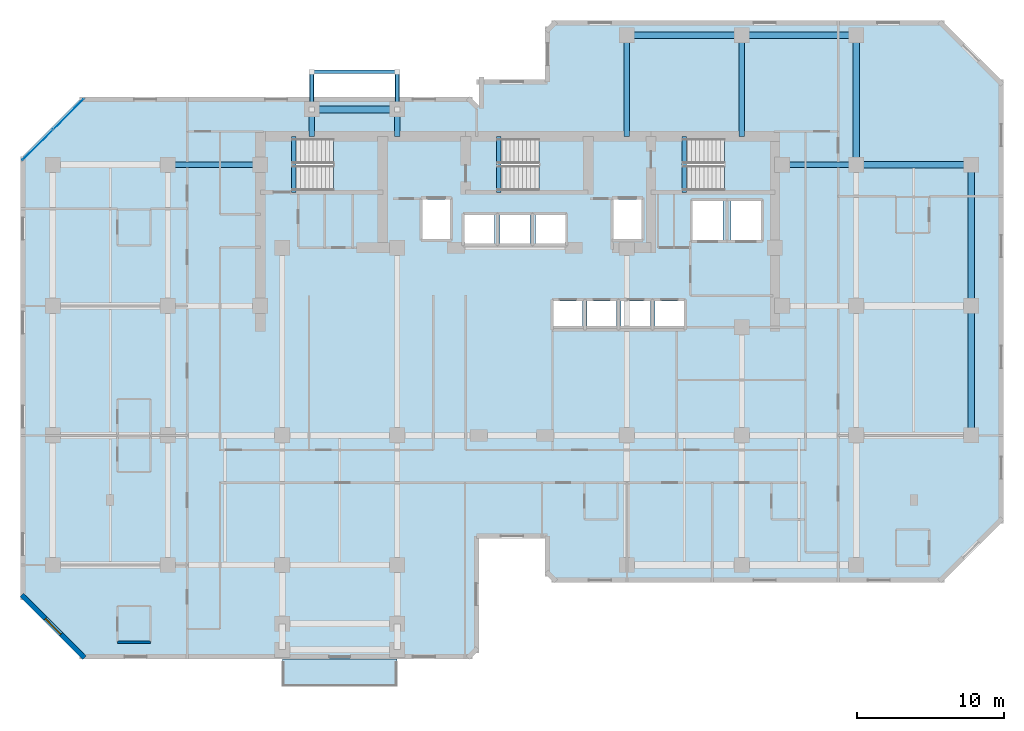
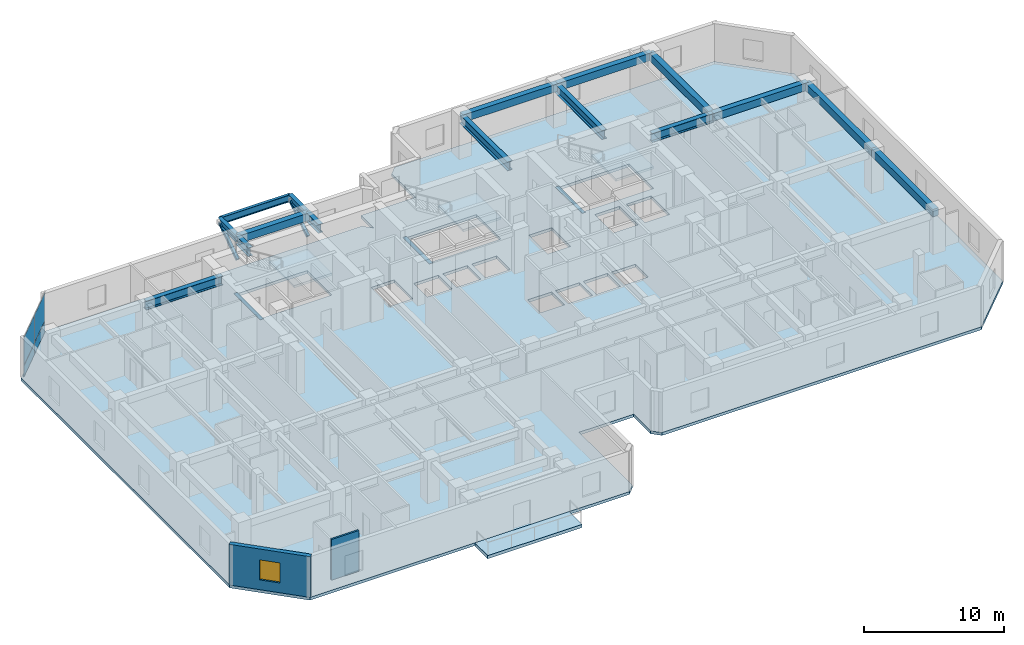
# One storey, part 3 of 10: 19 beams, 5 slabs, 4 plates, 2 members, 2 walls, 1 window, 1 opening, 4 elements without a shape of their own.
"""IFC4 building model written with IfcOpenShell, lengths in metres."""

from ifc_helpers import new_model, si_unit, direction, frame, frame_2d, origin, origin_2d, place, context, subcontext, project, spatial, polyline, rectangle, hollow_rectangle, i_section, outline, extrude, material, layer, layer_set, material_profile, profile_set, type_object, element, fill, aggregate, save


model = new_model("IFC4")

# Units and contexts
model_context = context("Model", 3, precision=1e-05, world=origin(), true_north=direction((0.0, 1.0)))
body_context = subcontext(model_context, "Body", "Model", "MODEL_VIEW")
ifc_project = project(units=[si_unit("LENGTHUNIT", "METRE"), si_unit("AREAUNIT", "SQUARE_METRE"), si_unit("VOLUMEUNIT", "CUBIC_METRE"), si_unit("PLANEANGLEUNIT", "RADIAN"), si_unit("MASSUNIT", "GRAM", prefix="KILO")], contexts=[model_context])

# Site, building, storey
site_placement = place(None, origin())
site = spatial("IfcSite", under=ifc_project, at=site_placement, CompositionType="ELEMENT")
building_placement = place(site_placement, origin())
building = spatial("IfcBuilding", under=site, at=building_placement, Name="Kestravale Grand Hotel", CompositionType="ELEMENT")
storey_placement = place(building_placement, frame((0.0, 0.0, 138.39990234375)))
storey = spatial("IfcBuildingStorey", under=building, at=storey_placement, Name="L34", CompositionType="ELEMENT", Elevation=138.39990234375)

# Beams
ifc_material_1 = material(Name="Concrete f'c 45 MPa", Category="concrete")
ifc_material_profile_1 = material_profile(ifc_material_1, rectangle(XDim=0.300048828125, YDim=0.39990234375, at=origin_2d()))
ifc_profile_set_1 = profile_set([ifc_material_profile_1], Name="Concrete f'c 45 MPa")
beam_type_1 = type_object("IfcBeamType", Name="B-FLR-LNT400", PredefinedType="LINTEL", material=ifc_profile_set_1)
for number, where, z_axis, x_axis, name in (
    (1, (24.159912109375, 36.52001953125, -0.199951171875), (0.0, 1.0, 0.0), (-1.0, 0.0, 0.0), "L34 ST1 flight bottom header beam"),
    (2, (38.110107421875, 36.52001953125, -0.199951171875), (0.0, 1.0, 0.0), (-1.0, 0.0, 0.0), "L34 ST2 flight bottom header beam"),
    (3, (50.7099609375, 36.52001953125, -0.199951171875), (0.0, 1.0, 0.0), (-1.0, 0.0, 0.0), "L34 ST3 flight bottom header beam"),
):
    element("IfcBeam", number, at=place(storey_placement, frame(where, z_axis=z_axis, x_axis=x_axis)), inside=storey, type_object=beam_type_1, Name=name, PredefinedType="LINTEL", context=body_context, shape_type="SweptSolid", body=[
        extrude(rectangle(XDim=0.300048828125, YDim=0.39990234375, at=origin_2d()), origin(), (0.0, 0.0, 1.0), 3.800048828125),
    ])
ifc_material_2 = material(Name="Concrete f'c 45 MPa", Category="concrete")
ifc_material_profile_2 = material_profile(ifc_material_2, rectangle(XDim=0.449951171875, YDim=0.64990234375, at=origin_2d()))
ifc_profile_set_2 = profile_set([ifc_material_profile_2], Name="Concrete f'c 45 MPa")
beam_type_2 = type_object("IfcBeamType", Name="B-FLR-RC650", PredefinedType="SPANDREL", material=ifc_profile_set_2)
for number, where, z_axis, x_axis, name in (
    (4, (62.39990234375, 38.39990234375, 3.22509765625), (1.0, 0.0, 0.0), (0.0, 1.0, 0.0), "L34 spandrel F:10-11"),
    (5, (46.800048828125, 47.199951171875, 3.22509765625), (1.0, 0.0, 0.0), (0.0, 1.0, 0.0), "L34 spandrel G:8-9"),
):
    element("IfcBeam", number, at=place(storey_placement, frame(where, z_axis=z_axis, x_axis=x_axis)), inside=storey, type_object=beam_type_2, Name=name, PredefinedType="SPANDREL", context=body_context, shape_type="SweptSolid", body=[
        extrude(rectangle(XDim=0.449951171875, YDim=0.64990234375, at=origin_2d()), origin(), (0.0, 0.0, 1.0), 7.800048828125),
    ])
beam_1_placement = place(storey_placement, frame((54.60009765625, 47.199951171875, 3.22509765625), z_axis=(1.0, 0.0, 0.0), x_axis=(0.0, 1.0, 0.0)))
element("IfcBeam", 6, at=beam_1_placement, inside=storey, type_object=beam_type_2, Name="L34 spandrel G:9-10", PredefinedType="SPANDREL", context=body_context, shape_type="SweptSolid", body=[
    extrude(rectangle(XDim=0.449951171875, YDim=0.64990234375, at=origin_2d()), origin(), (0.0, 0.0, 1.0), 7.7998046875),
])
beam_2_placement = place(storey_placement, frame((25.39990234375, 42.14990234375, 3.22509765625), z_axis=(1.0, 0.0, 0.0), x_axis=(0.0, 1.0, 0.0)))
element("IfcBeam", 7, at=beam_2_placement, inside=storey, type_object=beam_type_2, Name="L34 perimeter tie spandrel FN:4-5", PredefinedType="SPANDREL", context=body_context, shape_type="SweptSolid", body=[
    extrude(rectangle(XDim=0.449951171875, YDim=0.64990234375, at=origin_2d()), origin(), (0.0, 0.0, 1.0), 5.800048828125),
])
for number, where, z_axis, x_axis, name in (
    (8, (62.39990234375, 38.39990234375, 3.22509765625), (0.0, 1.0, 0.0), (-1.0, 0.0, 0.0), "L34 spandrel 10:F-G"),
    (9, (70.199951171875, 20.0, 3.22509765625), (0.0, 1.0, 0.0), (-1.0, 0.0, 0.0), "L34 spandrel 11:D-E"),
):
    element("IfcBeam", number, at=place(storey_placement, frame(where, z_axis=z_axis, x_axis=x_axis)), inside=storey, type_object=beam_type_2, Name=name, PredefinedType="SPANDREL", context=body_context, shape_type="SweptSolid", body=[
        extrude(rectangle(XDim=0.449951171875, YDim=0.64990234375, at=origin_2d()), origin(), (0.0, 0.0, 1.0), 8.800048828125),
    ])
beam_3_placement = place(storey_placement, frame((70.199951171875, 28.800048828125, 3.22509765625), z_axis=(0.0, 1.0, 0.0), x_axis=(-1.0, 0.0, 0.0)))
element("IfcBeam", 10, at=beam_3_placement, inside=storey, type_object=beam_type_2, Name="L34 spandrel 11:E-F", PredefinedType="SPANDREL", context=body_context, shape_type="SweptSolid", body=[
    extrude(rectangle(XDim=0.449951171875, YDim=0.64990234375, at=origin_2d()), origin(), (0.0, 0.0, 1.0), 9.599853515625),
])
ifc_material_3 = material(Name="Steel ASTM A992 Grade 50", Category="steel")
ifc_material_profile_3 = material_profile(ifc_material_3, i_section(OverallWidth=0.324951171875, OverallDepth=0.612060546875, WebThickness=0.0126953125, FlangeThickness=0.01904296875, FilletRadius=0.018798828125, at=origin_2d()))
ifc_profile_set_3 = profile_set([ifc_material_profile_3], Name="Steel ASTM A992 Grade 50")
beam_type_3 = type_object("IfcBeamType", Name="B-FLR-W24A", PredefinedType="SPANDREL", material=ifc_profile_set_3)
for number, where, z_axis, x_axis, name in (
    (11, (25.39990234375, 42.14990234375, 3.22412109375), (0.0, 1.0, 0.0), (-1.0, 0.0, 0.0), "L35 terrace cantilever beam 1"),
    (12, (31.199951171875, 42.14990234375, 3.22412109375), (0.0, 1.0, 0.0), (-1.0, 0.0, 0.0), "L35 terrace cantilever beam 2"),
):
    element("IfcBeam", number, at=place(storey_placement, frame(where, z_axis=z_axis, x_axis=x_axis)), inside=storey, type_object=beam_type_3, Name=name, PredefinedType="SPANDREL", context=body_context, shape_type="SweptSolid", body=[
        extrude(i_section(OverallWidth=0.324951171875, OverallDepth=0.612060546875, WebThickness=0.0126953125, FlangeThickness=0.01904296875, FilletRadius=0.018798828125, at=origin_2d()), origin(), (0.0, 0.0, 1.0), 2.550048828125),
    ])
ifc_material_4 = material(Name="Steel ASTM A992 Grade 50", Category="steel")
ifc_material_profile_4 = material_profile(ifc_material_4, i_section(OverallWidth=0.22900390625, OverallDepth=0.612060546875, WebThickness=0.011962890625, FlangeThickness=0.01953125, FilletRadius=0.019287109375, at=origin_2d()))
ifc_profile_set_4 = profile_set([ifc_material_profile_4], Name="Steel ASTM A992 Grade 50")
beam_type_4 = type_object("IfcBeamType", Name="B-FLR-W24B", PredefinedType="SPANDREL", material=ifc_profile_set_4)
beam_4_placement = place(storey_placement, frame((25.39990234375, 44.699951171875, 3.22412109375), z_axis=(1.0, 0.0, 0.0), x_axis=(0.0, 1.0, 0.0)))
element("IfcBeam", 13, at=beam_4_placement, inside=storey, type_object=beam_type_4, Name="L35 terrace edge spandrel", PredefinedType="SPANDREL", context=body_context, shape_type="SweptSolid", body=[
    extrude(i_section(OverallWidth=0.22900390625, OverallDepth=0.612060546875, WebThickness=0.011962890625, FlangeThickness=0.01953125, FilletRadius=0.019287109375, at=origin_2d()), origin(), (0.0, 0.0, 1.0), 5.800048828125),
])
ifc_material_5 = material(Name="Steel ASTM A992 Grade 50", Category="steel")
ifc_material_profile_5 = material_profile(ifc_material_5, i_section(OverallWidth=0.381103515625, OverallDepth=0.77197265625, WebThickness=0.0166015625, FlangeThickness=0.027099609375, FilletRadius=0.023681640625, at=origin_2d()))
ifc_profile_set_5 = profile_set([ifc_material_profile_5], Name="Steel ASTM A992 Grade 50")
beam_type_5 = type_object("IfcBeamType", Name="B-GRD-W30", PredefinedType="BEAM", material=ifc_profile_set_5)
beam_5_placement = place(storey_placement, frame((15.60009765625, 38.39990234375, 3.1640625), z_axis=(1.0, 0.0, 0.0), x_axis=(0.0, 1.0, 0.0)))
element("IfcBeam", 14, at=beam_5_placement, inside=storey, type_object=beam_type_5, Name="L34 girder F:3-CW", PredefinedType="BEAM", context=body_context, shape_type="SweptSolid", body=[
    extrude(i_section(OverallWidth=0.381103515625, OverallDepth=0.77197265625, WebThickness=0.0166015625, FlangeThickness=0.027099609375, FilletRadius=0.023681640625, at=origin_2d()), origin(), (0.0, 0.0, 1.0), 6.2998046875),
])
beam_6_placement = place(storey_placement, frame((57.35009765625, 38.39990234375, 3.1640625), z_axis=(1.0, 0.0, 0.0), x_axis=(0.0, 1.0, 0.0)))
element("IfcBeam", 15, at=beam_6_placement, inside=storey, type_object=beam_type_5, Name="L34 girder F:CE-10", PredefinedType="BEAM", context=body_context, shape_type="SweptSolid", body=[
    extrude(i_section(OverallWidth=0.381103515625, OverallDepth=0.77197265625, WebThickness=0.0166015625, FlangeThickness=0.027099609375, FilletRadius=0.023681640625, at=origin_2d()), origin(), (0.0, 0.0, 1.0), 5.0498046875),
])
for number, where, z_axis, x_axis, name in (
    (16, (25.39990234375, 40.320068359375, 3.1640625), (0.0, 1.0, 0.0), (-1.0, 0.0, 0.0), "L34 north wing tie girder 4:CN-FN"),
    (17, (31.199951171875, 40.320068359375, 3.1640625), (0.0, 1.0, 0.0), (-1.0, 0.0, 0.0), "L34 north wing tie girder 5:CN-FN"),
):
    element("IfcBeam", number, at=place(storey_placement, frame(where, z_axis=z_axis, x_axis=x_axis)), inside=storey, type_object=beam_type_5, Name=name, PredefinedType="BEAM", context=body_context, shape_type="SweptSolid", body=[
        extrude(i_section(OverallWidth=0.381103515625, OverallDepth=0.77197265625, WebThickness=0.0166015625, FlangeThickness=0.027099609375, FilletRadius=0.023681640625, at=origin_2d()), origin(), (0.0, 0.0, 1.0), 1.829833984375),
    ])
for number, where, z_axis, x_axis, name in (
    (18, (46.800048828125, 40.320068359375, 3.1640625), (0.0, 1.0, 0.0), (-1.0, 0.0, 0.0), "L34 north wing tie girder 8:CN-G"),
    (19, (54.60009765625, 40.320068359375, 3.1640625), (0.0, 1.0, 0.0), (-1.0, 0.0, 0.0), "L34 north wing tie girder 9:CN-G"),
):
    element("IfcBeam", number, at=place(storey_placement, frame(where, z_axis=z_axis, x_axis=x_axis)), inside=storey, type_object=beam_type_5, Name=name, PredefinedType="BEAM", context=body_context, shape_type="SweptSolid", body=[
        extrude(i_section(OverallWidth=0.381103515625, OverallDepth=0.77197265625, WebThickness=0.0166015625, FlangeThickness=0.027099609375, FilletRadius=0.023681640625, at=origin_2d()), origin(), (0.0, 0.0, 1.0), 6.8798828125),
    ])

# Members
ifc_material_6 = material(Name="Steel ASTM A500 Grade C", Category="steel")
ifc_material_profile_6 = material_profile(ifc_material_6, hollow_rectangle(XDim=0.25, YDim=0.25, WallThickness=0.011962890625, InnerFilletRadius=0.011962890625, OuterFilletRadius=0.02392578125, at=origin_2d()))
ifc_profile_set_6 = profile_set([ifc_material_profile_6], Name="Steel ASTM A500 Grade C")
member_type = type_object("IfcMemberType", Name="M-BLT-STR250", PredefinedType="STRUT", material=ifc_profile_set_6)
for number, where, z_axis, x_axis, name in (
    (20, (25.39990234375, 42.14990234375, 1.3740234375), (0.0, 0.832025783431, 0.554736960825), (-1.0, 0.0, 0.0), "L35 terrace knee-brace strut 1"),
    (21, (31.199951171875, 42.14990234375, 1.3740234375), (0.0, 0.832025783431, 0.554736960825), (-1.0, 0.0, 0.0), "L35 terrace knee-brace strut 2"),
):
    element("IfcMember", number, at=place(storey_placement, frame(where, z_axis=z_axis, x_axis=x_axis)), inside=storey, type_object=member_type, Name=name, PredefinedType="STRUT", context=body_context, shape_type="SweptSolid", body=[
        extrude(hollow_rectangle(XDim=0.25, YDim=0.25, WallThickness=0.011962890625, InnerFilletRadius=0.011962890625, OuterFilletRadius=0.02392578125, at=origin_2d()), origin(), (0.0, 0.0, 1.0), 3.06494140625),
    ])

# Curtain wall, plates
ifc_material_7 = material(Name="Thermally broken champagne-bronze aluminium and low-E glazing", Category="aluminium")
ifc_layer_1 = layer(ifc_material_7, 0.179931640625)
ifc_layer_set_1 = layer_set([ifc_layer_1], Name="CW-Z3")
curtain_wall_type = type_object("IfcCurtainWallType", Name="CW-Z3", PredefinedType="NOTDEFINED", material=ifc_layer_set_1)
curtain_wall_placement = place(storey_placement, origin())
curtain_wall = element("IfcCurtainWall", 22, at=curtain_wall_placement, inside=storey, type_object=curtain_wall_type, Name="L34 unitised curtain wall 18", PredefinedType="NOTDEFINED")
ifc_material_8 = material(Name="Insulated clear low-E double glazing IGU", Category="glass")
ifc_layer_2 = layer(ifc_material_8, 0.031982421875)
ifc_layer_set_2 = layer_set([ifc_layer_2], Name="CW-PNL-32")
plate_type = type_object("IfcPlateType", Name="CW-PNL-32", PredefinedType="CURTAIN_PANEL", material=ifc_layer_set_2)
plate_1_placement = place(storey_placement, frame((8.86572265625, 41.825439453125, 0.06494140625), z_axis=(0.0, 0.0, 1.0), x_axis=(-0.707106781187, -0.707106781187, 0.0)))
plate_1 = element("IfcPlate", 23, at=plate_1_placement, type_object=plate_type, Name="CW-Z3 panel 1.1", PredefinedType="CURTAIN_PANEL", context=body_context, shape_type="SweptSolid", body=[
    extrude(rectangle(XDim=2.892333984375, YDim=0.031982421875, at=origin_2d()), origin(), (0.0, 0.0, 1.0), 0.952392578125),
])
plate_2_placement = place(storey_placement, frame((8.86572265625, 41.825439453125, 1.08251953125), z_axis=(0.0, 0.0, 1.0), x_axis=(-0.707106781187, -0.707106781187, 0.0)))
plate_2 = element("IfcPlate", 24, at=plate_2_placement, type_object=plate_type, Name="CW-Z3 panel 1.2", PredefinedType="CURTAIN_PANEL", context=body_context, shape_type="SweptSolid", body=[
    extrude(rectangle(XDim=2.892333984375, YDim=0.031982421875, at=origin_2d()), origin(), (0.0, 0.0, 1.0), 2.402587890625),
])
plate_3_placement = place(storey_placement, frame((6.774658203125, 39.734130859375, 0.06494140625), z_axis=(0.0, 0.0, 1.0), x_axis=(-0.707106781187, -0.707106781187, 0.0)))
plate_3 = element("IfcPlate", 25, at=plate_3_placement, type_object=plate_type, Name="CW-Z3 panel 2.1", PredefinedType="CURTAIN_PANEL", context=body_context, shape_type="SweptSolid", body=[
    extrude(rectangle(XDim=2.892333984375, YDim=0.031982421875, at=origin_2d()), origin(), (0.0, 0.0, 1.0), 0.952392578125),
])
plate_4_placement = place(storey_placement, frame((6.774658203125, 39.734130859375, 1.08251953125), z_axis=(0.0, 0.0, 1.0), x_axis=(-0.707106781187, -0.707106781187, 0.0)))
plate_4 = element("IfcPlate", 26, at=plate_4_placement, type_object=plate_type, Name="CW-Z3 panel 2.2", PredefinedType="CURTAIN_PANEL", context=body_context, shape_type="SweptSolid", body=[
    extrude(rectangle(XDim=2.892333984375, YDim=0.031982421875, at=origin_2d()), origin(), (0.0, 0.0, 1.0), 2.402587890625),
])
aggregate(curtain_wall, [plate_1, plate_2, plate_3, plate_4])

# Slab
ifc_material_9 = material(Name="Concrete f'c 45 MPa", Category="concrete")
ifc_layer_3 = layer(ifc_material_9, 0.27001953125)
ifc_layer_set_3 = layer_set([ifc_layer_3], Name="ES-TERR-270")
slab_type_1 = type_object("IfcSlabType", Name="ES-TERR-270", PredefinedType="FLOOR", material=ifc_layer_set_3)
slab_1_placement = place(storey_placement, frame((0.0, 0.0, -0.27001953125)))
element("IfcSlab", 27, at=slab_1_placement, inside=storey, type_object=slab_type_1, Name="L34 spiralling planted garden terrace", PredefinedType="FLOOR", context=body_context, shape_type="SweptSolid", body=[
    extrude(outline(polyline([(23.39990234375, 2.949951171875), (31.199951171875, 2.949951171875), (31.199951171875, 4.800048828125), (23.39990234375, 4.800048828125), (23.39990234375, 2.949951171875)])), origin(), (0.0, 0.0, 1.0), 0.27001953125),
])

# Stair, slab
ifc_material_10 = material(Name="Concrete f'c 45 MPa", Category="concrete")
stair_type = type_object("IfcStairType", Name="ST-CORE-380", PredefinedType="HALF_TURN_STAIR", material=ifc_material_10)
stair_1_placement = place(storey_placement, origin())
stair_1 = element("IfcStair", 28, at=stair_1_placement, inside=storey, type_object=stair_type, Name="L34 ST-1", PredefinedType="HALF_TURN_STAIR")
ifc_material_11 = material(Name="Concrete f'c 45 MPa", Category="concrete")
ifc_layer_4 = layer(ifc_material_11, 0.199951171875)
ifc_layer_set_4 = layer_set([ifc_layer_4], Name="SLB-ST-LND200")
slab_type_2 = type_object("IfcSlabType", Name="SLB-ST-LND200", PredefinedType="LANDING", material=ifc_layer_set_4)
slab_2_placement = place(storey_placement, frame((0.0, 0.0, 1.7001953125)))
slab_2 = element("IfcSlab", 29, at=slab_2_placement, type_object=slab_type_2, Name="ST-1 landing 1", PredefinedType="LANDING", context=body_context, shape_type="SweptSolid", body=[
    extrude(outline(polyline([(26.8798828125, 36.64990234375), (30.0, 36.64990234375), (30.0, 40.159912109375), (26.8798828125, 40.159912109375), (26.8798828125, 36.64990234375)])), origin(), (0.0, 0.0, 1.0), 0.199951171875),
])
aggregate(stair_1, [slab_2])

stair_2_placement = place(storey_placement, origin())
stair_2 = element("IfcStair", 30, at=stair_2_placement, inside=storey, type_object=stair_type, Name="L34 ST-2", PredefinedType="HALF_TURN_STAIR")
slab_3_placement = place(storey_placement, frame((0.0, 0.0, 1.7001953125)))
slab_3 = element("IfcSlab", 31, at=slab_3_placement, type_object=slab_type_2, Name="ST-2 landing 1", PredefinedType="LANDING", context=body_context, shape_type="SweptSolid", body=[
    extrude(outline(polyline([(40.830078125, 36.64990234375), (43.949951171875, 36.64990234375), (43.949951171875, 40.159912109375), (40.830078125, 40.159912109375), (40.830078125, 36.64990234375)])), origin(), (0.0, 0.0, 1.0), 0.199951171875),
])
aggregate(stair_2, [slab_3])

stair_3_placement = place(storey_placement, origin())
stair_3 = element("IfcStair", 32, at=stair_3_placement, inside=storey, type_object=stair_type, Name="L34 ST-3", PredefinedType="HALF_TURN_STAIR")
slab_4_placement = place(storey_placement, frame((0.0, 0.0, 1.7001953125)))
slab_4 = element("IfcSlab", 33, at=slab_4_placement, type_object=slab_type_2, Name="ST-3 landing 1", PredefinedType="LANDING", context=body_context, shape_type="SweptSolid", body=[
    extrude(outline(polyline([(53.429931640625, 36.64990234375), (56.550048828125, 36.64990234375), (56.550048828125, 40.159912109375), (53.429931640625, 40.159912109375), (53.429931640625, 36.64990234375)])), origin(), (0.0, 0.0, 1.0), 0.199951171875),
])
aggregate(stair_3, [slab_4])

# Slab
ifc_material_12 = material(Name="Concrete f'c 45 MPa", Category="concrete")
ifc_layer_5 = layer(ifc_material_12, 0.25)
ifc_layer_set_5 = layer_set([ifc_layer_5], Name="SS-FLR-250")
slab_type_3 = type_object("IfcSlabType", Name="SS-FLR-250", PredefinedType="FLOOR", material=ifc_layer_set_5)
slab_5_placement = place(storey_placement, frame((0.0, 0.0, -0.25)))
element("IfcSlab", 34, at=slab_5_placement, inside=storey, type_object=slab_type_3, Name="L34 structural floor slab", PredefinedType="FLOOR", context=body_context, shape_type="SweptSolid", body=[
    extrude(outline(polyline([(9.800048828125, 4.800048828125), (36.14990234375, 4.800048828125), (36.75, 5.39990234375), (36.75, 13.0), (41.25, 13.0), (41.25, 10.60009765625), (41.85009765625, 10.0), (68.199951171875, 10.0), (72.39990234375, 14.199951171875), (72.39990234375, 44.0), (68.199951171875, 48.199951171875), (41.85009765625, 48.199951171875), (41.25, 47.60009765625), (41.25, 44.199951171875), (36.75, 44.199951171875), (36.75, 42.39990234375), (36.14990234375, 43.0), (9.800048828125, 43.0), (5.60009765625, 38.800048828125), (5.60009765625, 9.0), (9.800048828125, 4.800048828125)]), holes=[polyline([(24.080078125, 36.64990234375), (30.0, 36.64990234375), (30.0, 40.159912109375), (24.080078125, 40.159912109375), (24.080078125, 36.64990234375)]), polyline([(38.030029296875, 36.64990234375), (43.949951171875, 36.64990234375), (43.949951171875, 40.159912109375), (38.030029296875, 40.159912109375), (38.030029296875, 36.64990234375)]), polyline([(50.6298828125, 36.64990234375), (56.550048828125, 36.64990234375), (56.550048828125, 40.159912109375), (50.6298828125, 40.159912109375), (50.6298828125, 36.64990234375)]), polyline([(41.804931640625, 27.280029296875), (43.794921875, 27.280029296875), (43.794921875, 29.1201171875), (41.804931640625, 29.1201171875), (41.804931640625, 27.280029296875)]), polyline([(44.10498046875, 27.280029296875), (46.094970703125, 27.280029296875), (46.094970703125, 29.1201171875), (44.10498046875, 29.1201171875), (44.10498046875, 27.280029296875)]), polyline([(46.405029296875, 27.280029296875), (48.39501953125, 27.280029296875), (48.39501953125, 29.1201171875), (46.405029296875, 29.1201171875), (46.405029296875, 27.280029296875)]), polyline([(48.705078125, 27.280029296875), (50.695068359375, 27.280029296875), (50.695068359375, 29.1201171875), (48.705078125, 29.1201171875), (48.705078125, 27.280029296875)]), polyline([(35.780029296875, 33.030029296875), (37.820068359375, 33.030029296875), (37.820068359375, 34.969970703125), (35.780029296875, 34.969970703125), (35.780029296875, 33.030029296875)]), polyline([(38.179931640625, 33.030029296875), (40.219970703125, 33.030029296875), (40.219970703125, 34.969970703125), (38.179931640625, 34.969970703125), (38.179931640625, 33.030029296875)]), polyline([(40.580078125, 33.030029296875), (42.6201171875, 33.030029296875), (42.6201171875, 34.969970703125), (40.580078125, 34.969970703125), (40.580078125, 33.030029296875)]), polyline([(32.905029296875, 33.35498046875), (34.794921875, 33.35498046875), (34.794921875, 36.044921875), (32.905029296875, 36.044921875), (32.905029296875, 33.35498046875)]), polyline([(45.905029296875, 33.35498046875), (47.794921875, 33.35498046875), (47.794921875, 36.044921875), (45.905029296875, 36.044921875), (45.905029296875, 33.35498046875)]), polyline([(51.280029296875, 33.280029296875), (53.320068359375, 33.280029296875), (53.320068359375, 35.919921875), (51.280029296875, 35.919921875), (51.280029296875, 33.280029296875)]), polyline([(53.8798828125, 33.280029296875), (55.919921875, 33.280029296875), (55.919921875, 35.919921875), (53.8798828125, 35.919921875), (53.8798828125, 33.280029296875)])]), origin(), (0.0, 0.0, 1.0), 0.25),
])

# Wall, opening, window
ifc_material_13 = material(Name="Precast concrete f'c 45 MPa", Category="concrete")
ifc_layer_6 = layer(ifc_material_13, 0.340087890625)
ifc_layer_set_6 = layer_set([ifc_layer_6], Name="EW-PREC-340")
wall_type_1 = type_object("IfcWallType", Name="EW-PREC-340", PredefinedType="SOLIDWALL", material=ifc_layer_set_6)
wall_1_placement = place(storey_placement, frame((5.69189453125, 9.1484375, 0.0), z_axis=(0.0, 0.0, 1.0), x_axis=(0.707106781187, -0.707106781187, 0.0)))
wall_1 = element("IfcWall", 35, at=wall_1_placement, inside=storey, type_object=wall_type_1, Name="L34 fluted precast facade wall 20", PredefinedType="SOLIDWALL", context=body_context, shape_type="SweptSolid", body=[
    extrude(rectangle(XDim=6.019775390625, YDim=0.340087890625, at=frame_2d((3.009765625, 0.0))), origin(), (0.0, 0.0, 1.0), 3.550048828125),
])
opening_placement = place(wall_1_placement, frame((2.260009765625, 0.0, 0.85009765625)))
opening = element("IfcOpeningElement", 36, at=opening_placement, cuts=wall_1, Name="Opening W-GUEST-1500", PredefinedType="OPENING", context=body_context, shape_type="SweptSolid", body=[
    extrude(rectangle(XDim=1.5, YDim=1.75, at=frame_2d((0.75, 0.875))), frame((0.0, 0.179931640625, 0.0), z_axis=(0.0, -1.0, 0.0), x_axis=(1.0, 0.0, 0.0)), (0.0, 0.0, 1.0), 0.360107421875),
])
ifc_material_14 = material(Name="Insulated low-E double glazing in aluminium frame", Category="aluminium")
window_type = type_object("IfcWindowType", Name="W-GUEST-1500", PartitioningType="SINGLE_PANEL", PredefinedType="WINDOW", material=ifc_material_14)
window_placement = place(opening_placement, origin())
window = element("IfcWindow", 37, at=window_placement, inside=storey, type_object=window_type, Name="L34 exterior window 20.1", OverallHeight=1.75, OverallWidth=1.5, PartitioningType="SINGLE_PANEL", PredefinedType="WINDOW", context=body_context, shape_type="SweptSolid", body=[
    extrude(rectangle(XDim=1.5, YDim=1.75, at=frame_2d((0.75, 0.875))), frame((0.0, 0.030029296875, 0.0), z_axis=(0.0, -1.0, 0.0), x_axis=(1.0, 0.0, 0.0)), (0.0, 0.0, 1.0), 0.06005859375),
])
fill(opening, window)

# Wall
ifc_material_15 = material(Name="Moisture-resistant tile-backer plumbing chase wall", Category="other")
ifc_layer_7 = layer(ifc_material_15, 0.139892578125)
ifc_layer_set_7 = layer_set([ifc_layer_7], Name="IW-PLB-140")
wall_type_2 = type_object("IfcWallType", Name="IW-PLB-140", PredefinedType="PLUMBINGWALL", material=ifc_layer_set_7)
wall_2_placement = place(storey_placement, frame((12.199951171875, 5.949951171875, 0.0), z_axis=(0.0, 0.0, 1.0), x_axis=(1.0, 0.0, 0.0)))
element("IfcWall", 38, at=wall_2_placement, inside=storey, type_object=wall_type_2, Name="W-L34-U03-BS", PredefinedType="PLUMBINGWALL", context=body_context, shape_type="SweptSolid", body=[
    extrude(rectangle(XDim=2.25, YDim=0.139892578125, at=frame_2d((1.125, 0.0))), origin(), (0.0, 0.0, 1.0), 3.550048828125),
])

save(model, "model.ifc")
